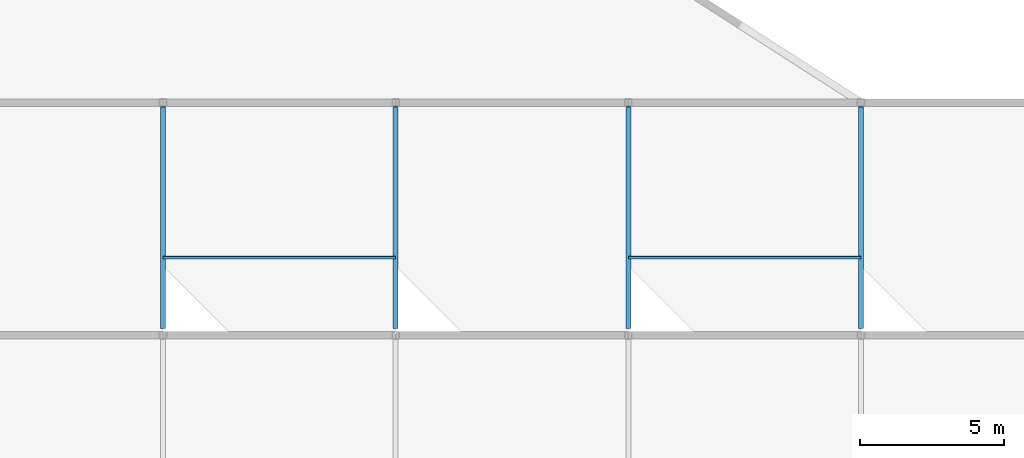
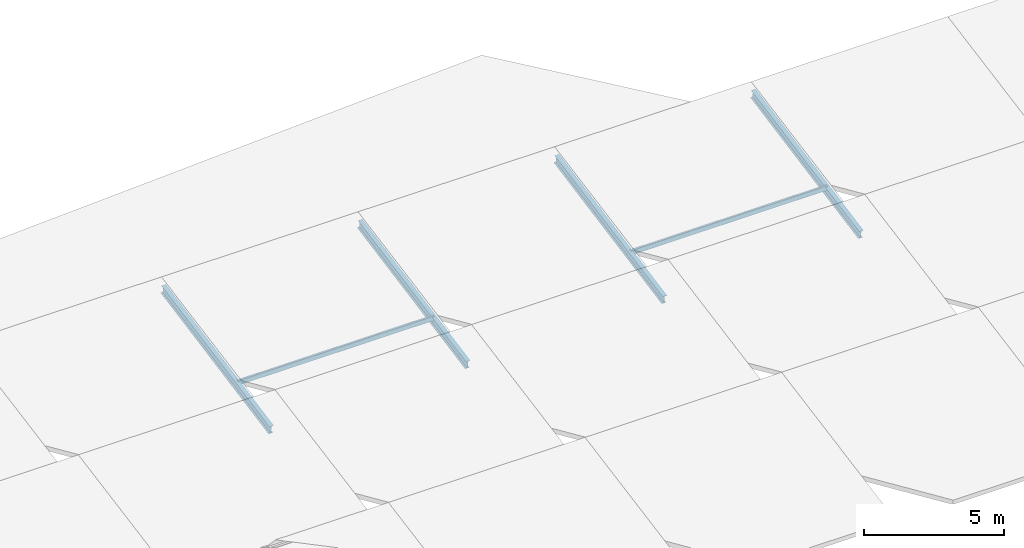
# One storey, part 17 of 33: 4 beams, 2 members.
"""IFC4 building model written with IfcOpenShell, lengths in metres."""

from ifc_helpers import new_model, si_unit, direction, frame, origin, origin_2d, place, context, subcontext, project, spatial, hollow_rectangle, i_section, extrude, material, material_profile, profile_set, type_object, element, save


model = new_model("IFC4")

# Units and contexts
model_context = context("Model", 3, precision=1e-05, world=origin(), true_north=direction((0.0, 1.0)))
body_context = subcontext(model_context, "Body", "Model", "MODEL_VIEW")
ifc_project = project(units=[si_unit("LENGTHUNIT", "METRE"), si_unit("AREAUNIT", "SQUARE_METRE"), si_unit("VOLUMEUNIT", "CUBIC_METRE"), si_unit("PLANEANGLEUNIT", "RADIAN"), si_unit("MASSUNIT", "GRAM", prefix="KILO")], contexts=[model_context])

# Site, building, storey
site_placement = place(None, origin())
site = spatial("IfcSite", under=ifc_project, at=site_placement, CompositionType="ELEMENT")
building_placement = place(site_placement, origin())
building = spatial("IfcBuilding", under=site, at=building_placement, Name="Vaudrelin Polytechnic", CompositionType="ELEMENT")
storey_placement = place(building_placement, frame((0.0, 0.0, 27.3701171875)))
storey = spatial("IfcBuildingStorey", under=building, at=storey_placement, Name="L06", CompositionType="ELEMENT", Elevation=27.3701171875)

# Beams
ifc_material = material(Name="Steel CSA G40.21 350W", Category="steel")
ifc_material_profile_1 = material_profile(ifc_material, i_section(OverallWidth=0.172119140625, OverallDepth=0.35791015625, WebThickness=0.0078125, FlangeThickness=0.01318359375, FilletRadius=0.014892578125, at=origin_2d()), Name="W360x57")
ifc_profile_set_1 = profile_set([ifc_material_profile_1], Name="Steel CSA G40.21 350W")
beam_type = type_object("IfcBeamType", Name="BM-JS-W360", PredefinedType="JOIST", material=ifc_profile_set_1)
for number, where, z_axis, x_axis, name in (
    (1, (81.0, 113.6708984375, -0.190185546875), (0.0, 0.982087138534, 0.188427313109), (-1.0, 0.0, 0.0), "Sawtooth sloped rafter SAWR-10-14"),
    (2, (89.10009765625, 113.6708984375, -0.190185546875), (0.0, 0.982087138534, 0.188427313109), (-1.0, 0.0, 0.0), "Sawtooth sloped rafter SAWR-11-14"),
    (3, (97.199951171875, 113.6708984375, -0.190185546875), (0.0, 0.982087138534, 0.188427313109), (-1.0, 0.0, 0.0), "Sawtooth sloped rafter SAWR-12-14"),
    (4, (105.300048828125, 113.6708984375, -0.190185546875), (0.0, 0.982087138534, 0.188427313109), (-1.0, 0.0, 0.0), "Sawtooth sloped rafter SAWR-13-14"),
):
    element("IfcBeam", number, at=place(storey_placement, frame(where, z_axis=z_axis, x_axis=x_axis)), inside=storey, type_object=beam_type, Name=name, PredefinedType="JOIST", context=body_context, shape_type="SweptSolid", body=[
        extrude(i_section(OverallWidth=0.172119140625, OverallDepth=0.35791015625, WebThickness=0.0078125, FlangeThickness=0.01318359375, FilletRadius=0.014892578125, at=origin_2d()), origin(), (0.0, 0.0, 1.0), 7.8466796875),
    ])

# Members
ifc_material_profile_2 = material_profile(ifc_material, hollow_rectangle(XDim=0.10205078125, YDim=0.202880859375, WallThickness=0.008056640625, InnerFilletRadius=0.008056640625, OuterFilletRadius=0.01611328125, at=origin_2d()), Name="HSS203x102x8.0")
ifc_profile_set_2 = profile_set([ifc_material_profile_2], Name="Steel CSA G40.21 350W")
member_type = type_object("IfcMemberType", Name="MEM-PR-01", PredefinedType="PURLIN", material=ifc_profile_set_2)
for number, where, z_axis, x_axis, name in (
    (5, (81.0, 116.10009765625, 0.388671875), (1.0, 0.0, 0.0), (0.0, 1.0, 0.0), "Sawtooth roof purlin PR-10-14"),
    (6, (97.199951171875, 116.10009765625, 0.388671875), (1.0, 0.0, 0.0), (0.0, 1.0, 0.0), "Sawtooth roof purlin PR-12-14"),
):
    element("IfcMember", number, at=place(storey_placement, frame(where, z_axis=z_axis, x_axis=x_axis)), inside=storey, type_object=member_type, Name=name, PredefinedType="PURLIN", context=body_context, shape_type="SweptSolid", body=[
        extrude(hollow_rectangle(XDim=0.10205078125, YDim=0.202880859375, WallThickness=0.008056640625, InnerFilletRadius=0.008056640625, OuterFilletRadius=0.01611328125, at=origin_2d()), origin(), (0.0, 0.0, 1.0), 8.10009765625),
    ])

save(model, "model.ifc")
